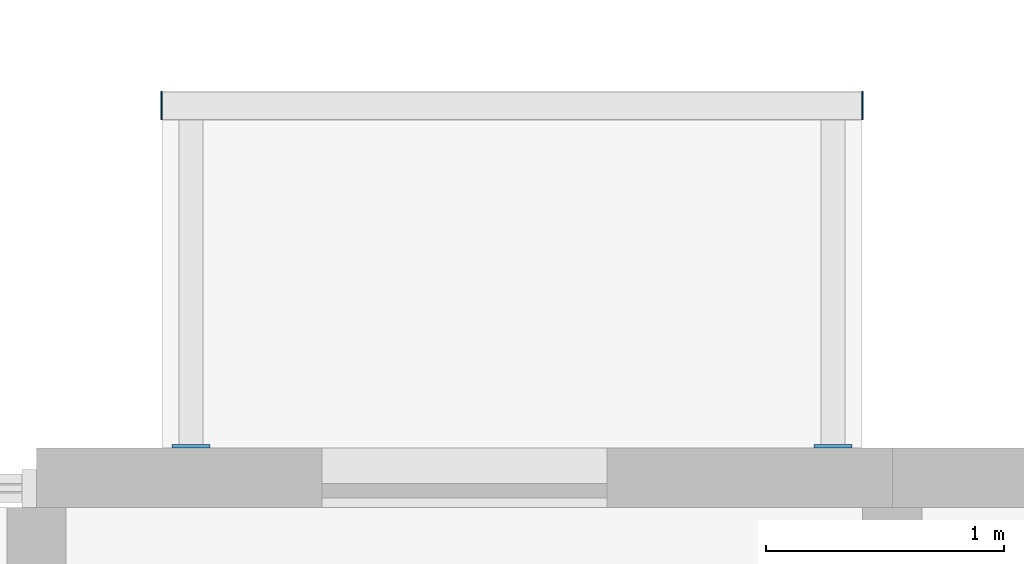
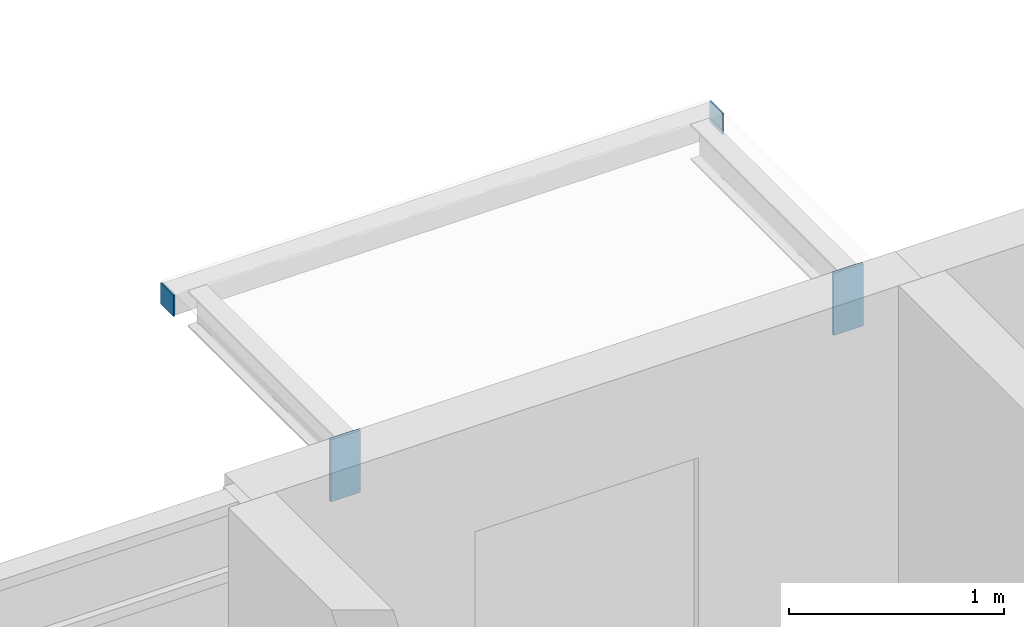
# One storey, part 63 of 99: 4 discrete accessories.
"""IFC4 building model written with IfcOpenShell, lengths in metres."""

from ifc_helpers import new_model, si_unit, direction, frame, origin, origin_2d, place, context, subcontext, project, spatial, rectangle, extrude, material, layer, layer_set, type_object, element, save


model = new_model("IFC4")

# Units and contexts
model_context = context("Model", 3, precision=1e-05, world=origin(), true_north=direction((0.0, 1.0)))
body_context = subcontext(model_context, "Body", "Model", "MODEL_VIEW")
ifc_project = project(units=[si_unit("LENGTHUNIT", "METRE"), si_unit("AREAUNIT", "SQUARE_METRE"), si_unit("VOLUMEUNIT", "CUBIC_METRE"), si_unit("PLANEANGLEUNIT", "RADIAN"), si_unit("MASSUNIT", "GRAM", prefix="KILO")], contexts=[model_context])

# Site, building, storey
site_placement = place(None, origin())
site = spatial("IfcSite", under=ifc_project, at=site_placement, CompositionType="ELEMENT")
building_placement = place(site_placement, origin())
building = spatial("IfcBuilding", under=site, at=building_placement, Name="Ridgestep Commons", CompositionType="ELEMENT")
storey_placement = place(building_placement, frame((0.0, 0.0, 15.0)))
storey = spatial("IfcBuildingStorey", under=building, at=storey_placement, Name="L05", CompositionType="ELEMENT", Elevation=15.0)

# Discrete accessories
ifc_material_1 = material(Name="Weathering steel S355J2W", Category="steel")
ifc_layer_1 = layer(ifc_material_1, 0.014892578125)
ifc_layer_set_1 = layer_set([ifc_layer_1], Name="Tray bracket plate 15")
discrete_accessory_type_1 = type_object("IfcDiscreteAccessoryType", Name="Tray bracket plate 15", PredefinedType="BRACKET", material=ifc_layer_set_1)
for number, where, z_axis, x_axis, name in (
    (1, (52.25, 23.007568359375, 2.63671875), (0.0, 0.0, 1.0), (1.0, 0.0, 0.0), "Tray bracket A3T3-06.1"),
    (2, (54.949951171875, 23.007568359375, 2.63671875), (0.0, 0.0, 1.0), (1.0, 0.0, 0.0), "Tray bracket A3T3-06.2"),
):
    element("IfcDiscreteAccessory", number, at=place(storey_placement, frame(where, z_axis=z_axis, x_axis=x_axis)), inside=storey, type_object=discrete_accessory_type_1, Name=name, PredefinedType="BRACKET", context=body_context, shape_type="SweptSolid", body=[
        extrude(rectangle(XDim=0.159912109375, YDim=0.014892578125, at=origin_2d()), origin(), (0.0, 0.0, 1.0), 0.353271484375),
    ])
ifc_material_2 = material(Name="Weathering steel S355J2W", Category="steel")
ifc_layer_2 = layer(ifc_material_2, 0.008056640625)
ifc_layer_set_2 = layer_set([ifc_layer_2], Name="Tray edge member end plate 120 x 120 x 8")
discrete_accessory_type_2 = type_object("IfcDiscreteAccessoryType", Name="Tray edge member end plate 120 x 120 x 8", PredefinedType="BRACKET", material=ifc_layer_set_2)
for number, where, z_axis, x_axis, name in (
    (3, (52.1259765625, 24.43994140625, 2.869873046875), (0.0, 0.0, 1.0), (1.0, 0.0, 0.0), "Tray edge member end plate A3T3-06 west"),
    (4, (55.073974609375, 24.43994140625, 2.869873046875), (0.0, 0.0, 1.0), (1.0, 0.0, 0.0), "Tray edge member end plate A3T3-06 east"),
):
    element("IfcDiscreteAccessory", number, at=place(storey_placement, frame(where, z_axis=z_axis, x_axis=x_axis)), inside=storey, type_object=discrete_accessory_type_2, Name=name, PredefinedType="BRACKET", context=body_context, shape_type="SweptSolid", body=[
        extrude(rectangle(XDim=0.008056640625, YDim=0.1201171875, at=origin_2d()), origin(), (0.0, 0.0, 1.0), 0.1201171875),
    ])

save(model, "model.ifc")
